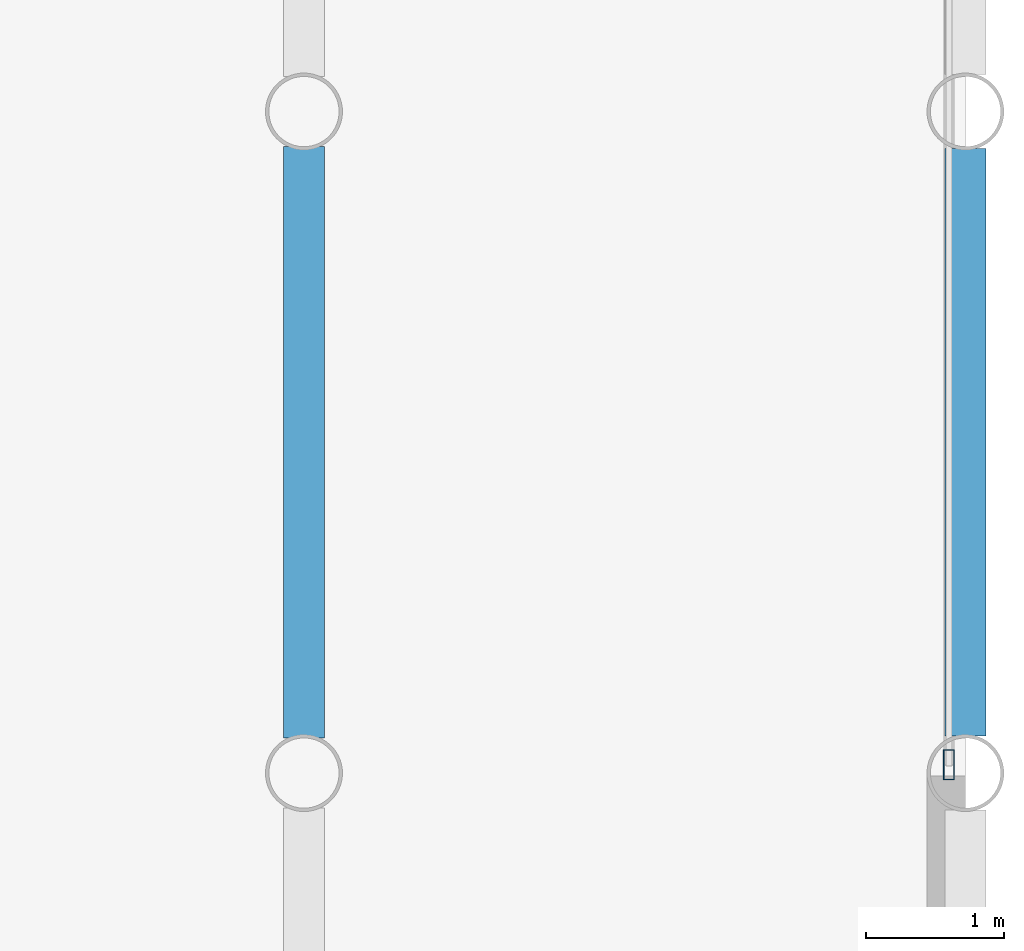
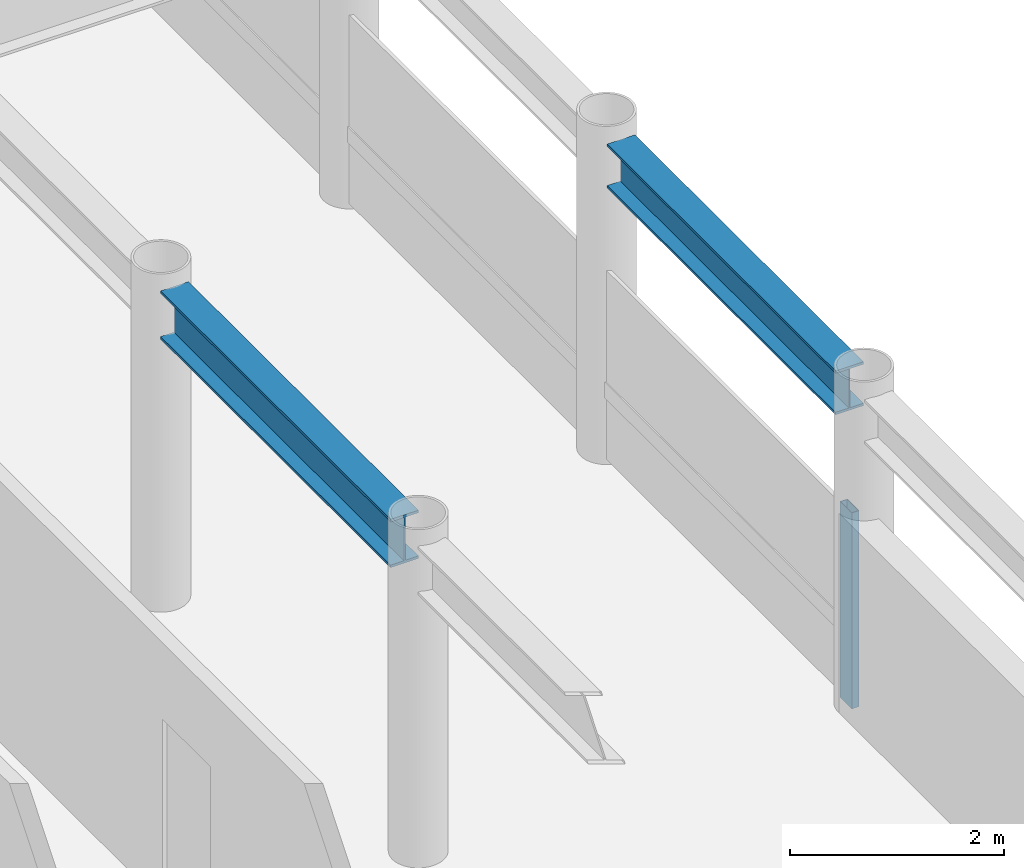
# One storey, part 10 of 22: 2 beams, 1 member, 1 element without a shape of its own.
"""IFC4 building model written with IfcOpenShell, lengths in metres."""

from ifc_helpers import new_model, si_unit, direction, frame, origin, origin_2d, place, context, subcontext, project, spatial, hollow_rectangle, i_section, extrude, material, layer, layer_set, material_profile, profile_set, type_object, element, aggregate, save


model = new_model("IFC4")

# Units and contexts
model_context = context("Model", 3, precision=1e-05, world=origin(), true_north=direction((0.0, 1.0)))
body_context = subcontext(model_context, "Body", "Model", "MODEL_VIEW")
ifc_project = project(units=[si_unit("LENGTHUNIT", "METRE"), si_unit("AREAUNIT", "SQUARE_METRE"), si_unit("VOLUMEUNIT", "CUBIC_METRE"), si_unit("PLANEANGLEUNIT", "RADIAN"), si_unit("MASSUNIT", "GRAM", prefix="KILO")], contexts=[model_context])

# Site, building, storey
site_placement = place(None, origin())
site = spatial("IfcSite", under=ifc_project, at=site_placement, CompositionType="ELEMENT")
building_placement = place(site_placement, origin())
building = spatial("IfcBuilding", under=site, at=building_placement, Name="Kallvorn Hotel Tower", CompositionType="ELEMENT")
storey_placement = place(building_placement, frame((0.0, 0.0, 230.0)))
storey = spatial("IfcBuildingStorey", under=building, at=storey_placement, Name="L57", CompositionType="ELEMENT", Elevation=230.0)

# Beams
ifc_material_1 = material(Name="Structural steel S355JR", Category="steel")
ifc_material_profile_1 = material_profile(ifc_material_1, i_section(OverallWidth=0.300048828125, OverallDepth=0.5, WebThickness=0.014404296875, FlangeThickness=0.028076171875, at=origin_2d()), Name="HE 500 B")
ifc_profile_set_1 = profile_set([ifc_material_profile_1], Name="Structural steel S355JR")
beam_type_1 = type_object("IfcBeamType", Name="BM_HE500B", PredefinedType="SPANDREL", material=ifc_profile_set_1)
beam_1_placement = place(storey_placement, frame((33.60009765625, 0.26953125, 3.419921875), z_axis=(0.0, 1.0, 0.0), x_axis=(-1.0, 0.0, 0.0)))
element("IfcBeam", 1, at=beam_1_placement, inside=storey, type_object=beam_type_1, Name="L58 Perimeter Spandrel 185", PredefinedType="SPANDREL", context=body_context, shape_type="SweptSolid", body=[
    extrude(i_section(OverallWidth=0.300048828125, OverallDepth=0.5, WebThickness=0.014404296875, FlangeThickness=0.028076171875, at=origin_2d()), origin(), (0.0, 0.0, 1.0), 4.260986328125),
])
ifc_material_2 = material(Name="Structural steel S355JR", Category="steel")
ifc_material_profile_2 = material_profile(ifc_material_2, i_section(OverallWidth=0.300048828125, OverallDepth=0.550048828125, WebThickness=0.014892578125, FlangeThickness=0.029052734375, at=origin_2d()), Name="HE 550 B")
ifc_profile_set_2 = profile_set([ifc_material_profile_2], Name="Structural steel S355JR")
beam_type_2 = type_object("IfcBeamType", Name="BM_HE550B", PredefinedType="SPANDREL", material=ifc_profile_set_2)
beam_2_placement = place(storey_placement, frame((28.800048828125, 0.25439453125, 3.39501953125), z_axis=(0.0, 1.0, 0.0), x_axis=(-1.0, 0.0, 0.0)))
element("IfcBeam", 2, at=beam_2_placement, inside=storey, type_object=beam_type_2, Name="L58 Primary Y-Girder 146", PredefinedType="SPANDREL", context=body_context, shape_type="SweptSolid", body=[
    extrude(i_section(OverallWidth=0.300048828125, OverallDepth=0.550048828125, WebThickness=0.014892578125, FlangeThickness=0.029052734375, at=origin_2d()), origin(), (0.0, 0.0, 1.0), 4.291015625),
])

# Curtain wall, member
ifc_material_3 = material(Name="Thermally broken black-anodised aluminium AA 6063-T6", Category="aluminium")
ifc_layer = layer(ifc_material_3, 0.22998046875)
ifc_layer_set = layer_set([ifc_layer], Name="CW_SYS_5_HOTEL_HIGH")
curtain_wall_type = type_object("IfcCurtainWallType", Name="CW_SYS_5_HOTEL_HIGH", PredefinedType="USERDEFINED", material=ifc_layer_set)
curtain_wall_placement = place(storey_placement, origin())
curtain_wall = element("IfcCurtainWall", 3, at=curtain_wall_placement, inside=storey, type_object=curtain_wall_type, Name="L57 Dark-Glass Curtain Wall CW-L57-EN", ObjectType="UNITISED CURTAIN WALL", PredefinedType="USERDEFINED")
ifc_material_4 = material(Name="Thermally broken black-anodised aluminium AA 6063-T6", Category="aluminium")
ifc_material_profile_3 = material_profile(ifc_material_4, hollow_rectangle(XDim=0.080078125, YDim=0.219970703125, WallThickness=0.0048828125, at=origin_2d()), Name="MUL 220x80")
ifc_profile_set_3 = profile_set([ifc_material_profile_3], Name="Thermally broken black-anodised aluminium AA 6063-T6")
member_type = type_object("IfcMemberType", Name="CW_MULLION_220x80", PredefinedType="MULLION", material=ifc_profile_set_3)
member_placement = place(storey_placement, frame((33.47998046875, 0.06005859375, 0.02001953125), z_axis=(0.0, 0.0, 1.0), x_axis=(1.0, 0.0, 0.0)))
member = element("IfcMember", 4, at=member_placement, type_object=member_type, Name="CW-L57-EN Mullion 00", PredefinedType="MULLION", context=body_context, shape_type="SweptSolid", body=[
    extrude(hollow_rectangle(XDim=0.080078125, YDim=0.219970703125, WallThickness=0.0048828125, at=origin_2d()), origin(), (0.0, 0.0, 1.0), 2.22998046875),
])
aggregate(curtain_wall, [member])

save(model, "model.ifc")
